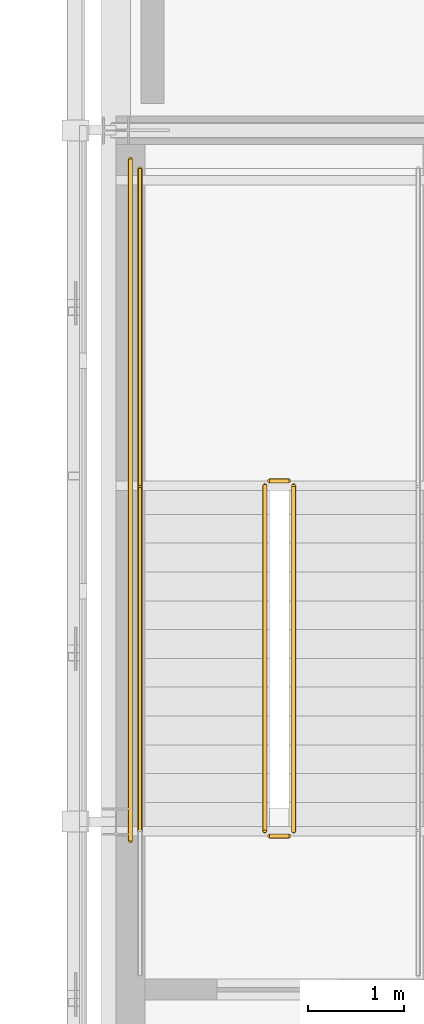
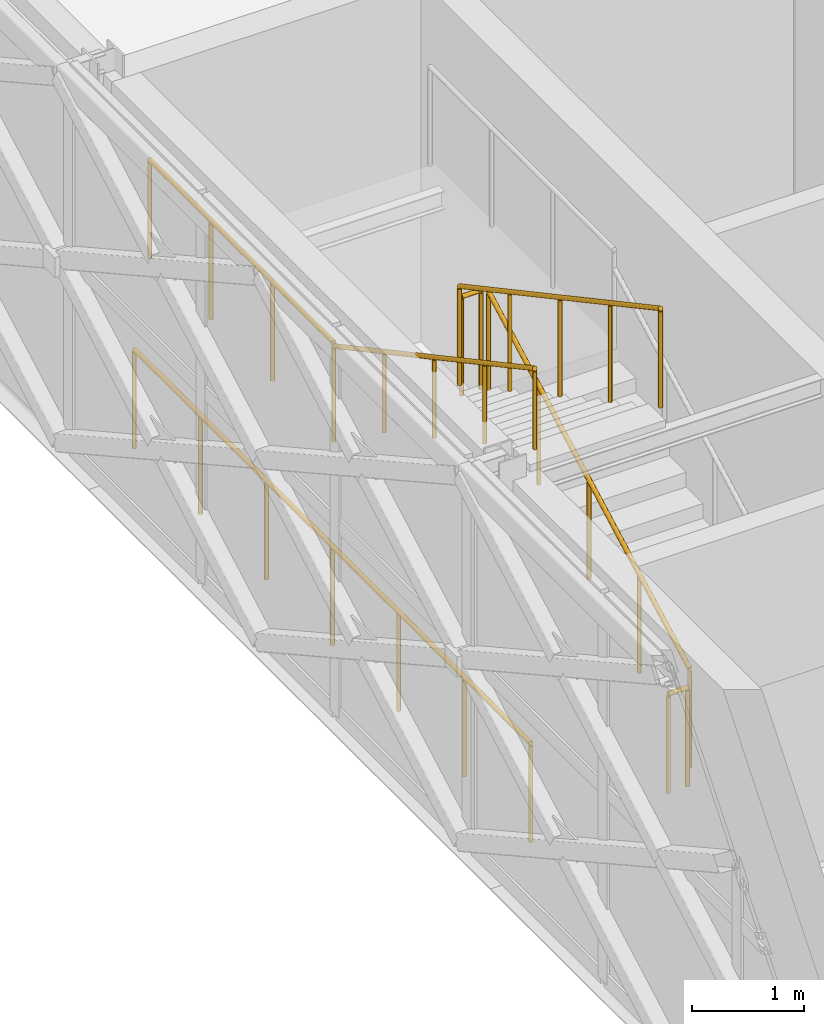
# One storey, part 100 of 103: 7 railings.
"""IFC4 building model written with IfcOpenShell, lengths in metres."""

import ifcopenshell
import ifcopenshell.guid

model = None  # the IFC model being written
_history = None  # IfcOwnerHistory: only IFC2X3 demands one
_inside = {}  # id of a spatial element -> (the spatial element, [elements in it])
_under = {}  # id of a project, library or spatial element -> (it, [spatial elements below it])
_declared = {}  # id of a project -> (the project, [libraries it declares])
_typed = {}  # id of a type object -> (the type object, [elements of that type])
_made_of = {}  # id of a material, layer set ... -> (it, [elements and type objects made of it])


def new_model(schema):
    """Start an empty IFC model of exactly this schema.

    Asked for "IFC4X3", IfcOpenShell would pick the latest addendum, in which some entities
    have other attributes; the version numbers below select the first issue.
    IFC2X3 requires an IfcOwnerHistory on every rooted entity: one is made here for all.
    """
    global model, _history
    if schema == "IFC4X3":
        model = ifcopenshell.file(schema_version=(4, 3, 0, 0))
    else:
        model = ifcopenshell.file(schema=schema)
    _inside.clear()
    _under.clear()
    _declared.clear()
    _typed.clear()
    _made_of.clear()
    _history = None
    if model.schema == "IFC2X3":
        org = make("IfcOrganization", Name="unknown")
        user = make(
            "IfcPersonAndOrganization",
            ThePerson=make("IfcPerson", FamilyName="unknown"),
            TheOrganization=org,
        )
        app = make(
            "IfcApplication",
            ApplicationDeveloper=org,
            Version="unknown",
            ApplicationFullName="unknown",
            ApplicationIdentifier="unknown",
        )
        _history = make(
            "IfcOwnerHistory",
            OwningUser=user,
            OwningApplication=app,
            ChangeAction="ADDED",
            CreationDate=0,
        )
    return model


def make(cls, **values):
    """One entity of the class cls with the attributes given. An attribute that is None is left unset."""
    return model.create_entity(
        cls, **{name: value for name, value in values.items() if value is not None}
    )


def rooted(cls, **values):
    """An entity with a GlobalId (a new one), such as an element, a storey or a relation."""
    return make(cls, GlobalId=ifcopenshell.guid.new(), OwnerHistory=_history, **values)


def si_unit(unit_type, name, prefix=None):
    """IfcSIUnit, for example si_unit("LENGTHUNIT", "METRE", prefix="MILLI")."""
    return make("IfcSIUnit", UnitType=unit_type, Prefix=prefix, Name=name)


def assignment(units):
    """IfcUnitAssignment: the units of a project."""
    return None if units is None else make("IfcUnitAssignment", Units=units)


def point(xyz):
    """IfcCartesianPoint."""
    return None if xyz is None else make("IfcCartesianPoint", Coordinates=xyz)


def direction(xyz):
    """IfcDirection."""
    return None if xyz is None else make("IfcDirection", DirectionRatios=xyz)


def frame(location, z_axis=None, x_axis=None):
    """IfcAxis2Placement3D, a coordinate frame: its origin and axes. An axis left out is left unset."""
    return make(
        "IfcAxis2Placement3D",
        Location=point(location),
        Axis=direction(z_axis),
        RefDirection=direction(x_axis),
    )


def frame_2d(location, x_axis=None):
    """IfcAxis2Placement2D, a coordinate frame in the plane: its origin and x axis."""
    return make(
        "IfcAxis2Placement2D", Location=point(location), RefDirection=direction(x_axis)
    )


def origin():
    """The frame at (0, 0, 0) with its axes left unset."""
    return frame((0.0, 0.0, 0.0))


def origin_2d():
    """The frame at (0, 0) in the plane with its x axis left unset."""
    return frame_2d((0.0, 0.0))


def place(relative_to, where):
    """IfcLocalPlacement: puts the frame where relative to a parent placement (None: the world)."""
    return make(
        "IfcLocalPlacement", PlacementRelTo=relative_to, RelativePlacement=where
    )


def context(
    kind, dimensions, precision=None, world=None, true_north=None, identifier=None
):
    """IfcGeometricRepresentationContext, for example the 3D "Model" context."""
    return make(
        "IfcGeometricRepresentationContext",
        ContextIdentifier=identifier,
        ContextType=kind,
        CoordinateSpaceDimension=dimensions,
        Precision=precision,
        WorldCoordinateSystem=world,
        TrueNorth=true_north,
    )


def subcontext(parent, identifier, kind, view, scale=None):
    """IfcGeometricRepresentationSubContext, for example "Body" below "Model"."""
    return make(
        "IfcGeometricRepresentationSubContext",
        ContextIdentifier=identifier,
        ContextType=kind,
        ParentContext=parent,
        TargetScale=scale,
        TargetView=view,
    )


def project(units=None, contexts=None):
    """IfcProject with its units and contexts."""
    return rooted(
        "IfcProject",
        Name="project",
        RepresentationContexts=contexts,
        UnitsInContext=assignment(units),
    )


def spatial(cls, under=None, at=None, **own):
    """A site, building, storey or space (cls), placed at a placement, below another one or the project."""
    s = rooted(cls, ObjectPlacement=at, **own)
    if under is not None:
        _under.setdefault(under.id(), (under, []))[1].append(s)
    return s


def profile(cls, at=None, kind="AREA", **sizes):
    """A parametric profile (cls). Its sizes go by their IFC names, for example OverallWidth=200.0."""
    return make(cls, ProfileType=kind, Position=at, **sizes)


def circle(**sizes):
    """IfcCircleProfileDef."""
    return profile("IfcCircleProfileDef", **sizes)


def extrude(swept, where, along, depth):
    """IfcExtrudedAreaSolid: the profile swept, set in the frame where, extruded along a direction by depth."""
    return make(
        "IfcExtrudedAreaSolid",
        SweptArea=swept,
        Position=where,
        ExtrudedDirection=direction(along),
        Depth=depth,
    )


def shape(context_of_items, identifier, shape_type, items):
    """IfcShapeRepresentation: the items that make up one representation, for example the "Body"."""
    return make(
        "IfcShapeRepresentation",
        ContextOfItems=context_of_items,
        RepresentationIdentifier=identifier,
        RepresentationType=shape_type,
        Items=items,
    )


def material(Name=None, Category=None):
    """IfcMaterial."""
    return make("IfcMaterial", Name=Name, Category=Category)


def made_of(thing, what):
    """Note that an element or type object is made of a material, layer set ...; save() writes the relation."""
    if what is not None:
        _made_of.setdefault(what.id(), (what, []))[1].append(thing)
    return thing


def type_object(cls, material=None, **own):
    """A type object (cls), such as IfcWallType, which elements share."""
    return made_of(rooted(cls, **own), material)


def element(
    cls,
    number,
    at=None,
    inside=None,
    cuts=None,
    type_object=None,
    material=None,
    context=None,
    identifier="Body",
    shape_type=None,
    held_by="IfcProductDefinitionShape",
    body=None,
    shapes=None,
    **own,
):
    """One element of the class cls, such as IfcWall. Its Tag is "e" and its number.

    at: its placement. inside: the storey or other place that contains it. cuts: it is an
    opening in that element (IfcRelVoidsElement). A single representation is given by context,
    identifier, shape_type and body (its items); several are given by shapes. held_by: the class
    of the entity that holds the representations. save() writes the other relations.
    """
    e = rooted(cls, Tag="e%d" % number, ObjectPlacement=at, **own)
    if body is not None:
        shapes = [shape(context, identifier, shape_type, body)]
    if shapes is not None:
        e.Representation = make(held_by, Representations=shapes)
    if inside is not None:
        _inside.setdefault(inside.id(), (inside, []))[1].append(e)
    if cuts is not None:
        rooted(
            "IfcRelVoidsElement", RelatingBuildingElement=cuts, RelatedOpeningElement=e
        )
    if type_object is not None:
        _typed.setdefault(type_object.id(), (type_object, []))[1].append(e)
    return made_of(e, material)


def aggregate(whole, parts):
    """IfcRelAggregates: a whole, such as a stair, and the parts it consists of."""
    return rooted("IfcRelAggregates", RelatingObject=whole, RelatedObjects=parts)


def save(model, path):
    """Write the relations noted so far, then the file.

    IfcRelAggregates (storeys below a building ...), IfcRelContainedInSpatialStructure (elements
    in a storey), IfcRelDefinesByType, IfcRelAssociatesMaterial and IfcRelDeclares: one each for
    every whole, place, type object, material and project.
    """
    for whole, parts in _under.values():
        aggregate(whole, parts)
    for where, things in _inside.values():
        rooted(
            "IfcRelContainedInSpatialStructure",
            RelatedElements=things,
            RelatingStructure=where,
        )
    for kind, things in _typed.values():
        rooted("IfcRelDefinesByType", RelatedObjects=things, RelatingType=kind)
    for what, things in _made_of.values():
        rooted("IfcRelAssociatesMaterial", RelatedObjects=things, RelatingMaterial=what)
    for by, libraries in _declared.values():
        rooted("IfcRelDeclares", RelatingContext=by, RelatedDefinitions=libraries)
    model.write(path)


model = new_model("IFC4")

# Units and contexts
model_context = context("Model", 3, precision=1e-05, world=origin(), true_north=direction((0.0, 1.0)))
body_context = subcontext(model_context, "Body", "Model", "MODEL_VIEW")
ifc_project = project(units=[si_unit("LENGTHUNIT", "METRE"), si_unit("AREAUNIT", "SQUARE_METRE"), si_unit("VOLUMEUNIT", "CUBIC_METRE"), si_unit("PLANEANGLEUNIT", "RADIAN"), si_unit("MASSUNIT", "GRAM", prefix="KILO")], contexts=[model_context])

# Site, building, storey
site_placement = place(None, origin())
site = spatial("IfcSite", under=ifc_project, at=site_placement, CompositionType="ELEMENT")
building_placement = place(site_placement, origin())
building = spatial("IfcBuilding", under=site, at=building_placement, Name="Zlatovets Crest Museum", CompositionType="ELEMENT")
storey_placement = place(building_placement, frame((0.0, 0.0, 12.89990234375)))
storey = spatial("IfcBuildingStorey", under=building, at=storey_placement, Name="L03", CompositionType="ELEMENT", Elevation=12.89990234375)

# Railings
ifc_material_1 = material(Name="Painted steel safety guardrail", Category="steel")
railing_type_1 = type_object("IfcRailingType", Name="StairGuard_SG01", PredefinedType="GUARDRAIL", material=ifc_material_1)
railing_1_placement = place(storey_placement, frame((59.449951171875, 100.699951171875, 0.16162109375)))
element("IfcRailing", 1, at=railing_1_placement, inside=storey, type_object=railing_type_1, Name="L03 ST1 stair guard 1", PredefinedType="GUARDRAIL", context=body_context, shape_type="SweptSolid", body=[
    extrude(circle(Radius=0.02392578125, at=origin_2d()), frame((0.0, 0.0, 1.076171875), z_axis=(0.0, 0.880474934443, 0.474092701714), x_axis=(-1.0, 0.0, 0.0)), (0.0, 0.0, 1.0), 4.0888671875),
    extrude(circle(Radius=0.02099609375, at=origin_2d()), origin(), (0.0, 0.0, 1.0), 1.052001953125),
    extrude(circle(Radius=0.02099609375, at=origin_2d()), frame((0.0, 0.89990234375, 0.484619140625)), (0.0, 0.0, 1.0), 1.052001953125),
    extrude(circle(Radius=0.02099609375, at=origin_2d()), frame((0.0, 1.800048828125, 0.96923828125)), (0.0, 0.0, 1.0), 1.052001953125),
    extrude(circle(Radius=0.02099609375, at=origin_2d()), frame((0.0, 2.7001953125, 1.453857421875)), (0.0, 0.0, 1.0), 1.052001953125),
    extrude(circle(Radius=0.02099609375, at=origin_2d()), frame((0.0, 3.60009765625, 1.9384765625)), (0.0, 0.0, 1.0), 1.052001953125),
])
railing_2_placement = place(storey_placement, frame((59.39990234375, 104.35009765625, 2.10009765625)))
element("IfcRailing", 2, at=railing_2_placement, inside=storey, type_object=railing_type_1, Name="L03 ST1 stair guard 2", PredefinedType="GUARDRAIL", context=body_context, shape_type="SweptSolid", body=[
    extrude(circle(Radius=0.02392578125, at=origin_2d()), frame((0.0, 0.0, 1.076171875), z_axis=(-1.0, 0.0, 0.0), x_axis=(0.0, -1.0, 0.0)), (0.0, 0.0, 1.0), 0.199951171875),
    extrude(circle(Radius=0.02099609375, at=origin_2d()), origin(), (0.0, 0.0, 1.0), 1.052001953125),
    extrude(circle(Radius=0.02099609375, at=origin_2d()), frame((-0.199951171875, 0.0, 0.0)), (0.0, 0.0, 1.0), 1.052001953125),
])
railing_3_placement = place(storey_placement, frame((57.85009765625, 104.300048828125, 2.10009765625)))
element("IfcRailing", 3, at=railing_3_placement, inside=storey, type_object=railing_type_1, Name="L03 ST1 stair guard 4", PredefinedType="GUARDRAIL", context=body_context, shape_type="SweptSolid", body=[
    extrude(circle(Radius=0.02392578125, at=origin_2d()), frame((0.0, 0.0, 1.076171875), z_axis=(0.0, 1.0, 0.0), x_axis=(-1.0, 0.0, 0.0)), (0.0, 0.0, 1.0), 3.300048828125),
    extrude(circle(Radius=0.02099609375, at=origin_2d()), origin(), (0.0, 0.0, 1.0), 1.052001953125),
    extrude(circle(Radius=0.02099609375, at=origin_2d()), frame((0.0, 1.10009765625, 0.0)), (0.0, 0.0, 1.0), 1.052001953125),
    extrude(circle(Radius=0.02099609375, at=origin_2d()), frame((0.0, 2.199951171875, 0.0)), (0.0, 0.0, 1.0), 1.052001953125),
    extrude(circle(Radius=0.02099609375, at=origin_2d()), frame((0.0, 3.300048828125, 0.0)), (0.0, 0.0, 1.0), 1.052001953125),
])
railing_4_placement = place(storey_placement, frame((59.14990234375, 104.300048828125, 2.26171875)))
element("IfcRailing", 4, at=railing_4_placement, inside=storey, type_object=railing_type_1, Name="L03 ST1 stair guard 5", PredefinedType="GUARDRAIL", context=body_context, shape_type="SweptSolid", body=[
    extrude(circle(Radius=0.02392578125, at=origin_2d()), frame((0.0, 0.0, 1.076171875), z_axis=(0.0, -0.880474934443, 0.474092701714), x_axis=(1.0, 0.0, 0.0)), (0.0, 0.0, 1.0), 4.0888671875),
    extrude(circle(Radius=0.02099609375, at=origin_2d()), origin(), (0.0, 0.0, 1.0), 1.052001953125),
    extrude(circle(Radius=0.02099609375, at=origin_2d()), frame((0.0, -0.89990234375, 0.484619140625)), (0.0, 0.0, 1.0), 1.052001953125),
    extrude(circle(Radius=0.02099609375, at=origin_2d()), frame((0.0, -1.800048828125, 0.96923828125)), (0.0, 0.0, 1.0), 1.052001953125),
    extrude(circle(Radius=0.02099609375, at=origin_2d()), frame((0.0, -2.7001953125, 1.453857421875)), (0.0, 0.0, 1.0), 1.052001953125),
    extrude(circle(Radius=0.02099609375, at=origin_2d()), frame((0.0, -3.60009765625, 1.9384765625)), (0.0, 0.0, 1.0), 1.052001953125),
])
railing_5_placement = place(storey_placement, frame((59.39990234375, 100.64990234375, 0.0)))
element("IfcRailing", 5, at=railing_5_placement, inside=storey, type_object=railing_type_1, Name="L03 ST1 stair guard 6", PredefinedType="GUARDRAIL", context=body_context, shape_type="SweptSolid", body=[
    extrude(circle(Radius=0.02392578125, at=origin_2d()), frame((0.0, 0.0, 1.076171875), z_axis=(-1.0, 0.0, 0.0), x_axis=(0.0, -1.0, 0.0)), (0.0, 0.0, 1.0), 0.199951171875),
    extrude(circle(Radius=0.02099609375, at=origin_2d()), origin(), (0.0, 0.0, 1.0), 1.052001953125),
    extrude(circle(Radius=0.02099609375, at=origin_2d()), frame((-0.199951171875, 0.0, 0.0)), (0.0, 0.0, 1.0), 1.052001953125),
])
railing_6_placement = place(storey_placement, frame((57.75, 100.60009765625, 0.0)))
element("IfcRailing", 6, at=railing_6_placement, inside=storey, type_object=railing_type_1, Name="L03 ST1 stair guard 10", PredefinedType="GUARDRAIL", context=body_context, shape_type="SweptSolid", body=[
    extrude(circle(Radius=0.02392578125, at=origin_2d()), frame((0.0, 0.0, 1.076171875), z_axis=(0.0, 1.0, 0.0), x_axis=(-1.0, 0.0, 0.0)), (0.0, 0.0, 1.0), 7.099853515625),
    extrude(circle(Radius=0.02099609375, at=origin_2d()), origin(), (0.0, 0.0, 1.0), 1.052001953125),
    extrude(circle(Radius=0.02099609375, at=origin_2d()), frame((0.0, 1.183349609375, 0.0)), (0.0, 0.0, 1.0), 1.052001953125),
    extrude(circle(Radius=0.02099609375, at=origin_2d()), frame((0.0, 2.36669921875, 0.0)), (0.0, 0.0, 1.0), 1.052001953125),
    extrude(circle(Radius=0.02099609375, at=origin_2d()), frame((0.0, 3.5498046875, 0.0)), (0.0, 0.0, 1.0), 1.052001953125),
    extrude(circle(Radius=0.02099609375, at=origin_2d()), frame((0.0, 4.733154296875, 0.0)), (0.0, 0.0, 1.0), 1.052001953125),
    extrude(circle(Radius=0.02099609375, at=origin_2d()), frame((0.0, 5.91650390625, 0.0)), (0.0, 0.0, 1.0), 1.052001953125),
    extrude(circle(Radius=0.02099609375, at=origin_2d()), frame((0.0, 7.099853515625, 0.0)), (0.0, 0.0, 1.0), 1.052001953125),
])
ifc_material_2 = material(Name="Brushed bronze stair handrail")
railing_type_2 = type_object("IfcRailingType", Name="StairHandrail_SH01", PredefinedType="HANDRAIL", material=ifc_material_2)
railing_7_placement = place(storey_placement, frame((57.85009765625, 104.300048828125, 2.26171875)))
element("IfcRailing", 7, at=railing_7_placement, inside=storey, type_object=railing_type_2, Name="L03 ST1 stair handrail 2", PredefinedType="HANDRAIL", context=body_context, shape_type="SweptSolid", body=[
    extrude(circle(Radius=0.02392578125, at=origin_2d()), frame((0.0, 0.0, 0.8759765625), z_axis=(0.0, -0.880474934443, 0.474092701714), x_axis=(1.0, 0.0, 0.0)), (0.0, 0.0, 1.0), 4.0888671875),
    extrude(circle(Radius=0.02099609375, at=origin_2d()), origin(), (0.0, 0.0, 1.0), 0.851806640625),
    extrude(circle(Radius=0.02099609375, at=origin_2d()), frame((0.0, -0.89990234375, 0.484619140625)), (0.0, 0.0, 1.0), 0.851806640625),
    extrude(circle(Radius=0.02099609375, at=origin_2d()), frame((0.0, -1.800048828125, 0.96923828125)), (0.0, 0.0, 1.0), 0.851806640625),
    extrude(circle(Radius=0.02099609375, at=origin_2d()), frame((0.0, -2.7001953125, 1.453857421875)), (0.0, 0.0, 1.0), 0.851806640625),
    extrude(circle(Radius=0.02099609375, at=origin_2d()), frame((0.0, -3.60009765625, 1.9384765625)), (0.0, 0.0, 1.0), 0.851806640625),
])

save(model, "model.ifc")
